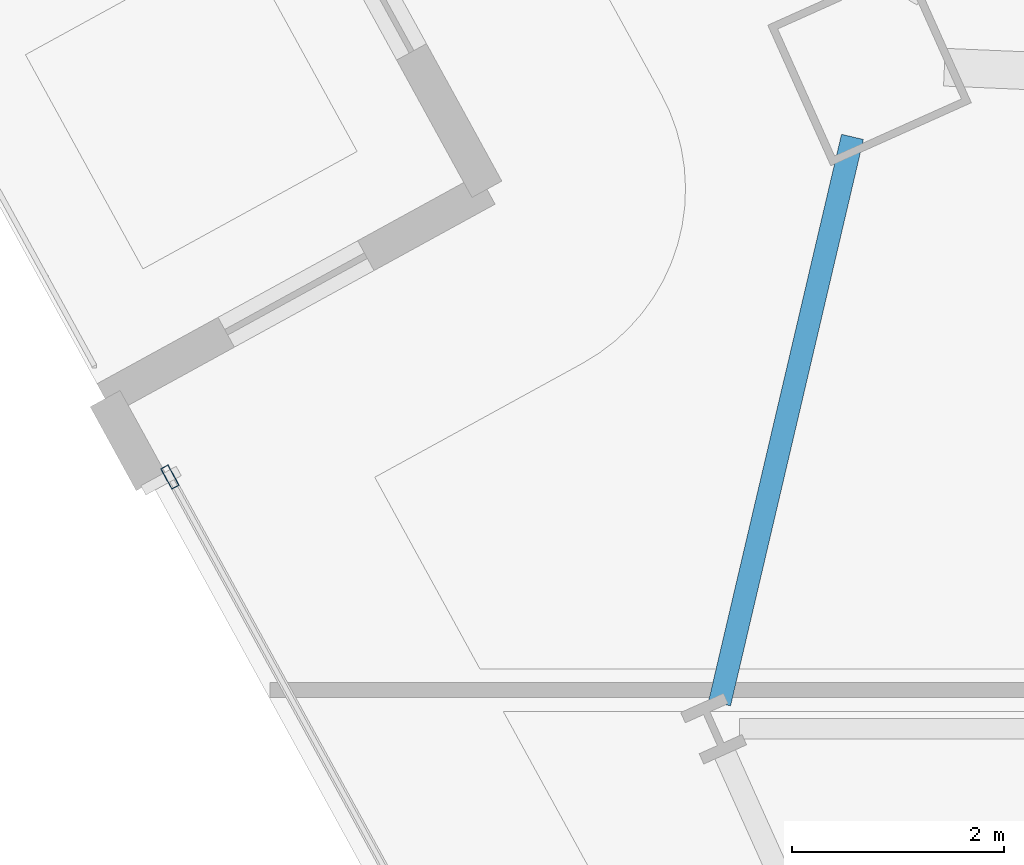
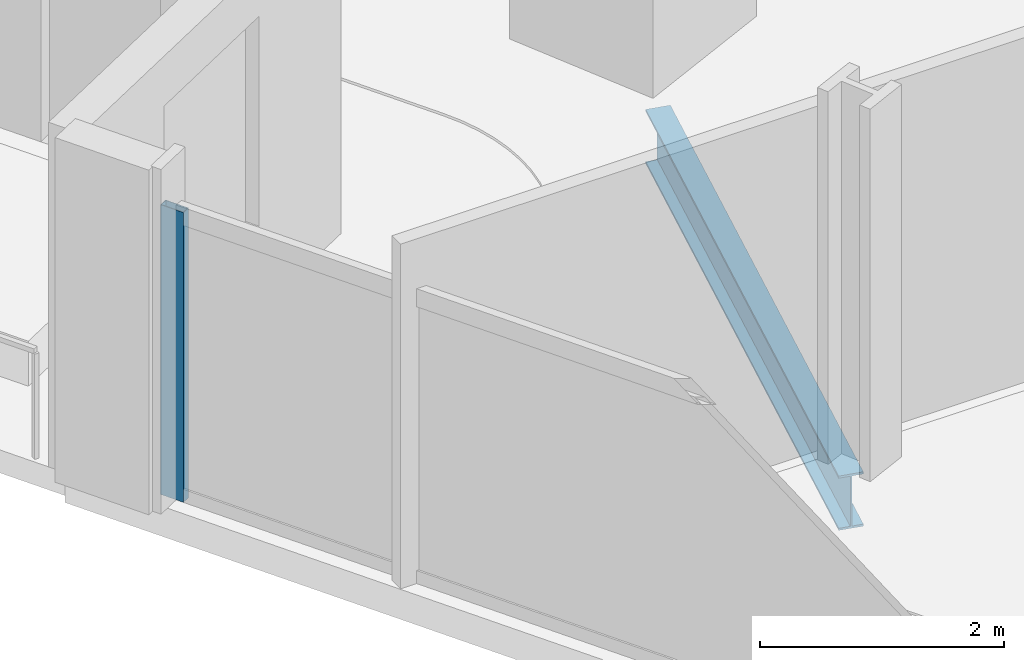
# One storey, part 12 of 33: 1 beam, 1 member, 1 element without a shape of its own.
"""IFC4 building model written with IfcOpenShell, lengths in metres."""

from ifc_helpers import new_model, si_unit, direction, frame, origin, origin_2d, place, context, subcontext, project, spatial, hollow_rectangle, i_section, extrude, material, material_profile, profile_set, type_object, element, aggregate, save


model = new_model("IFC4")

# Units and contexts
model_context = context("Model", 3, precision=1e-05, world=origin(), true_north=direction((0.0, 1.0)))
body_context = subcontext(model_context, "Body", "Model", "MODEL_VIEW")
ifc_project = project(units=[si_unit("LENGTHUNIT", "METRE"), si_unit("AREAUNIT", "SQUARE_METRE"), si_unit("VOLUMEUNIT", "CUBIC_METRE"), si_unit("PLANEANGLEUNIT", "RADIAN"), si_unit("MASSUNIT", "GRAM", prefix="KILO")], contexts=[model_context])

# Site, building, storey
site_placement = place(None, origin())
site = spatial("IfcSite", under=ifc_project, at=site_placement, CompositionType="ELEMENT")
building_placement = place(site_placement, origin())
building = spatial("IfcBuilding", under=site, at=building_placement, Name="Haldenkirk Collegiate Tower", CompositionType="ELEMENT")
storey_placement = place(building_placement, frame((0.0, 0.0, 124.199951171875)))
storey = spatial("IfcBuildingStorey", under=building, at=storey_placement, Name="L30", CompositionType="ELEMENT", Elevation=124.199951171875)

# Beam
ifc_material_1 = material(Name="Steel ASTM A992 Grade 50", Category="steel")
ifc_material_profile_1 = material_profile(ifc_material_1, i_section(OverallWidth=0.2119140625, OverallDepth=0.5439453125, WebThickness=0.01318359375, FlangeThickness=0.021240234375, at=origin_2d()), Name="W21X83")
ifc_profile_set_1 = profile_set([ifc_material_profile_1], Name="Steel ASTM A992 Grade 50")
beam_type = type_object("IfcBeamType", Name="BM-SPANDREL-W21X83", PredefinedType="SPANDREL", material=ifc_profile_set_1)
beam_placement = place(storey_placement, frame((10.624755859375, 34.0087890625, -0.572021484375), z_axis=(-0.228373515871, -0.97357359108, 0.0), x_axis=(0.97357359108, -0.228373515871, 0.0)))
element("IfcBeam", 1, at=beam_placement, inside=storey, type_object=beam_type, Name="L30 perimeter spandrel beam 13", PredefinedType="SPANDREL", context=body_context, shape_type="SweptSolid", body=[
    extrude(i_section(OverallWidth=0.2119140625, OverallDepth=0.5439453125, WebThickness=0.01318359375, FlangeThickness=0.021240234375, at=origin_2d()), origin(), (0.0, 0.0, 1.0), 5.477783203125),
])

# Curtain wall, member
ifc_material_2 = material(Name="Anodised architectural bronze aluminium", Category="aluminium")
curtain_wall_type = type_object("IfcCurtainWallType", Name="CW-SYS1-CONVEX-LOW", PredefinedType="USERDEFINED", material=ifc_material_2)
curtain_wall_placement = place(storey_placement, origin())
curtain_wall = element("IfcCurtainWall", 2, at=curtain_wall_placement, inside=storey, type_object=curtain_wall_type, Name="L30 Lower tower convex bronze-framed unitised curtain wall", ObjectType="UNITISED CURTAIN WALL", PredefinedType="USERDEFINED")
ifc_material_profile_2 = material_profile(ifc_material_2, hollow_rectangle(XDim=0.080078125, YDim=0.219970703125, WallThickness=0.0048828125, at=origin_2d()), Name="CW-MUL-1A")
ifc_profile_set_2 = profile_set([ifc_material_profile_2], Name="Anodised architectural bronze aluminium")
member_type = type_object("IfcMemberType", Name="CW-MUL-1A", PredefinedType="MULLION", material=ifc_profile_set_2)
member_placement = place(storey_placement, frame((4.197998046875, 30.80615234375, 0.0), z_axis=(0.0, 0.0, 1.0), x_axis=(-0.876726858964, -0.480988580708, 0.0)))
member = element("IfcMember", 3, at=member_placement, type_object=member_type, Name="CW-1A mullion 5", PredefinedType="MULLION", context=body_context, shape_type="SweptSolid", body=[
    extrude(hollow_rectangle(XDim=0.080078125, YDim=0.219970703125, WallThickness=0.0048828125, at=origin_2d()), origin(), (0.0, 0.0, 1.0), 2.901123046875),
])
aggregate(curtain_wall, [member])

save(model, "model.ifc")
